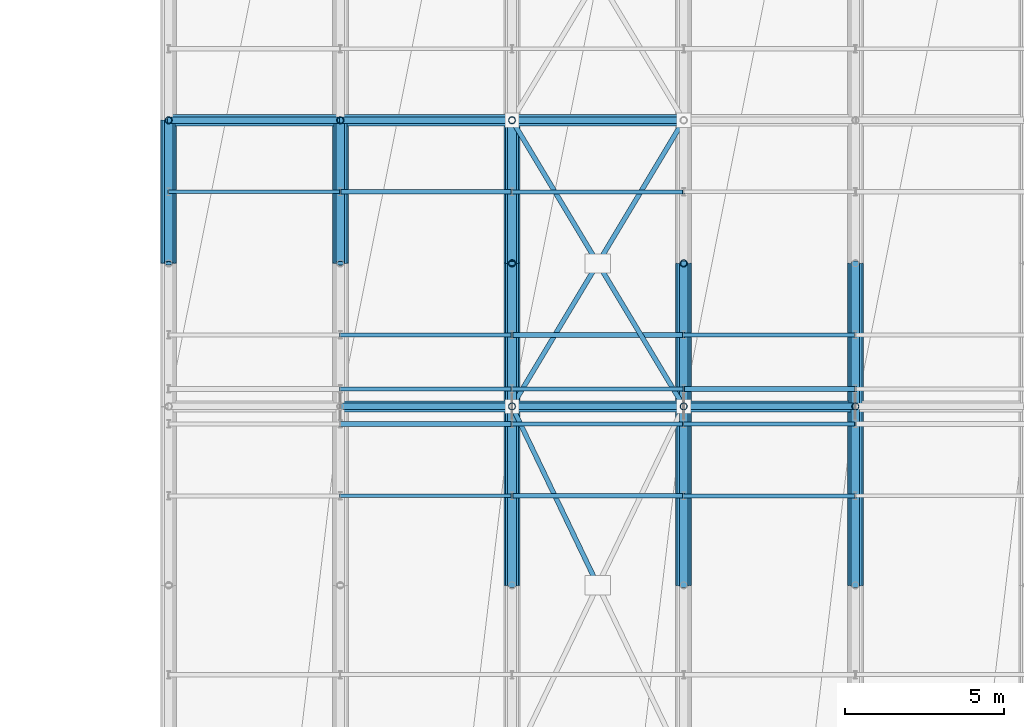
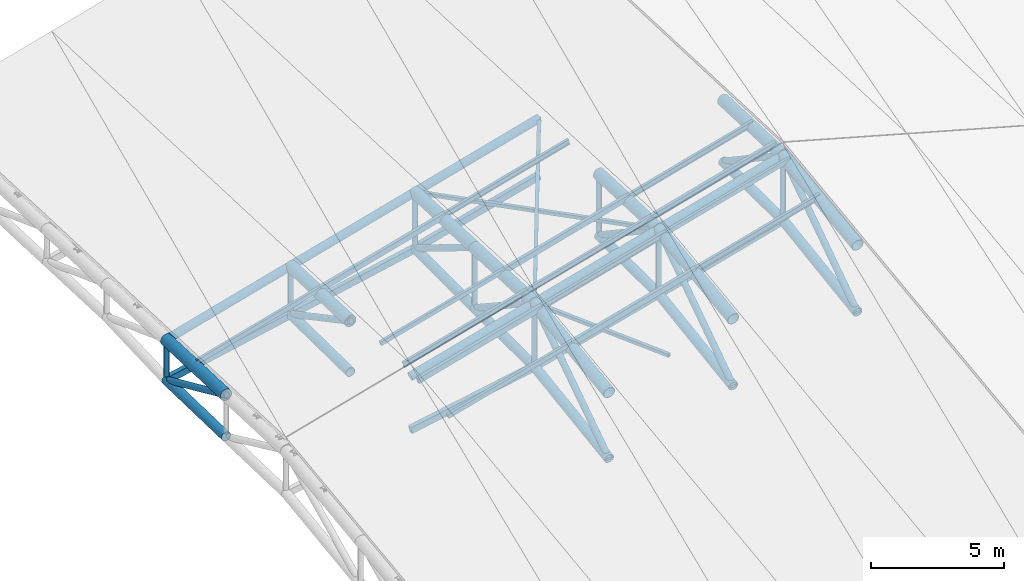
# One storey, part 13 of 109: 48 members, 18 beams.
"""IFC4 building model written with IfcOpenShell, lengths in metres."""

from ifc_helpers import new_model, si_unit, direction, frame, origin, origin_2d, place, context, subcontext, project, spatial, hollow_rectangle, hollow_circle, i_section, extrude, material, material_profile, profile_set, type_object, element, save


model = new_model("IFC4")

# Units and contexts
model_context = context("Model", 3, precision=1e-05, world=origin(), true_north=direction((0.0, 1.0)))
body_context = subcontext(model_context, "Body", "Model", "MODEL_VIEW")
ifc_project = project(units=[si_unit("LENGTHUNIT", "METRE"), si_unit("AREAUNIT", "SQUARE_METRE"), si_unit("VOLUMEUNIT", "CUBIC_METRE"), si_unit("PLANEANGLEUNIT", "RADIAN"), si_unit("MASSUNIT", "GRAM", prefix="KILO")], contexts=[model_context])

# Site, building, storey
site_placement = place(None, origin())
site = spatial("IfcSite", under=ifc_project, at=site_placement, CompositionType="ELEMENT")
building_placement = place(site_placement, origin())
building = spatial("IfcBuilding", under=site, at=building_placement, Name="Suirenkawa Promenade Aquatics Centre", CompositionType="ELEMENT")
storey_placement = place(building_placement, frame((0.0, 0.0, 22.800048828125)))
storey = spatial("IfcBuildingStorey", under=building, at=storey_placement, Name="ROOF", CompositionType="ELEMENT", Elevation=22.800048828125)

# Beams
ifc_material = material(Name="Steel IS 2062 E350 (Grade 350)", Category="steel")
ifc_material_profile_1 = material_profile(ifc_material, hollow_circle(Radius=0.202880859375, WallThickness=0.01806640625, at=origin_2d()), Name="CHS 406x18", Category="steel")
ifc_profile_set_1 = profile_set([ifc_material_profile_1], Name="Steel IS 2062 E350 (Grade 350)")
beam_type_1 = type_object("IfcBeamType", Name="BT-BC-CHS406", PredefinedType="BEAM", material=ifc_profile_set_1)
beam_1_placement = place(storey_placement, frame((46.800048828125, 99.89990234375, -11.291015625), z_axis=(0.0, 0.999643939919, -0.026683204125), x_axis=(-1.0, 0.0, 0.0)))
element("IfcBeam", 1, at=beam_1_placement, inside=storey, type_object=beam_type_1, Name="ROOF TRUSS V1 bottom chord BC-01 BM-1826", PredefinedType="BEAM", context=body_context, shape_type="SweptSolid", body=[
    extrude(hollow_circle(Radius=0.202880859375, WallThickness=0.01806640625, at=origin_2d()), origin(), (0.0, 0.0, 1.0), 4.501708984375),
])
beam_2_placement = place(storey_placement, frame((52.199951171875, 99.89990234375, -10.22802734375), z_axis=(0.0, 0.999928127491, -0.011989155608), x_axis=(-1.0, 0.0, 0.0)))
element("IfcBeam", 2, at=beam_2_placement, inside=storey, type_object=beam_type_1, Name="ROOF TRUSS V1 bottom chord BC-01 BM-1854", PredefinedType="BEAM", context=body_context, shape_type="SweptSolid", body=[
    extrude(hollow_circle(Radius=0.202880859375, WallThickness=0.01806640625, at=origin_2d()), origin(), (0.0, 0.0, 1.0), 4.500244140625),
])
beam_3_placement = place(storey_placement, frame((57.60009765625, 89.77490234375, -9.953125), z_axis=(0.0, 0.98936058971, 0.145484100605), x_axis=(-1.0, 0.0, 0.0)))
element("IfcBeam", 3, at=beam_3_placement, inside=storey, type_object=beam_type_1, Name="ROOF TRUSS V1 bottom chord BC-01 BM-1878", PredefinedType="BEAM", context=body_context, shape_type="SweptSolid", body=[
    extrude(hollow_circle(Radius=0.202880859375, WallThickness=0.01806640625, at=origin_2d()), origin(), (0.0, 0.0, 1.0), 5.685546875),
])
beam_4_placement = place(storey_placement, frame((57.60009765625, 95.39990234375, -9.1259765625), z_axis=(0.0, 0.999964186155, -0.008463238555), x_axis=(-1.0, 0.0, 0.0)))
element("IfcBeam", 4, at=beam_4_placement, inside=storey, type_object=beam_type_1, Name="ROOF TRUSS V1 bottom chord BC-01 BM-1880", PredefinedType="BEAM", context=body_context, shape_type="SweptSolid", body=[
    extrude(hollow_circle(Radius=0.202880859375, WallThickness=0.01806640625, at=origin_2d()), origin(), (0.0, 0.0, 1.0), 4.500244140625),
])
beam_5_placement = place(storey_placement, frame((57.60009765625, 99.89990234375, -9.1640625), z_axis=(0.0, 0.999997526048, 0.002224386858), x_axis=(-1.0, 0.0, 0.0)))
element("IfcBeam", 5, at=beam_5_placement, inside=storey, type_object=beam_type_1, Name="ROOF TRUSS V1 bottom chord BC-01 BM-1882", PredefinedType="BEAM", context=body_context, shape_type="SweptSolid", body=[
    extrude(hollow_circle(Radius=0.202880859375, WallThickness=0.01806640625, at=origin_2d()), origin(), (0.0, 0.0, 1.0), 4.5),
])
beam_6_placement = place(storey_placement, frame((63.0, 89.77490234375, -8.507080078125), z_axis=(0.0, 0.989286297541, 0.145988429325), x_axis=(-1.0, 0.0, 0.0)))
element("IfcBeam", 6, at=beam_6_placement, inside=storey, type_object=beam_type_1, Name="ROOF TRUSS V1 bottom chord BC-01 BM-1906", PredefinedType="BEAM", context=body_context, shape_type="SweptSolid", body=[
    extrude(hollow_circle(Radius=0.202880859375, WallThickness=0.01806640625, at=origin_2d()), origin(), (0.0, 0.0, 1.0), 5.68603515625),
])
beam_7_placement = place(storey_placement, frame((63.0, 95.39990234375, -7.677001953125), z_axis=(0.0, 0.999973178989, -0.007324022307), x_axis=(-1.0, 0.0, 0.0)))
element("IfcBeam", 7, at=beam_7_placement, inside=storey, type_object=beam_type_1, Name="ROOF TRUSS V1 bottom chord BC-01 BM-1908", PredefinedType="BEAM", context=body_context, shape_type="SweptSolid", body=[
    extrude(hollow_circle(Radius=0.202880859375, WallThickness=0.01806640625, at=origin_2d()), origin(), (0.0, 0.0, 1.0), 4.5),
])
beam_8_placement = place(storey_placement, frame((68.39990234375, 89.77490234375, -7.007080078125), z_axis=(0.0, 0.989286297541, 0.145988429325), x_axis=(-1.0, 0.0, 0.0)))
element("IfcBeam", 8, at=beam_8_placement, inside=storey, type_object=beam_type_1, Name="ROOF TRUSS V1 bottom chord BC-01 BM-1934", PredefinedType="BEAM", context=body_context, shape_type="SweptSolid", body=[
    extrude(hollow_circle(Radius=0.202880859375, WallThickness=0.01806640625, at=origin_2d()), origin(), (0.0, 0.0, 1.0), 5.68603515625),
])
beam_9_placement = place(storey_placement, frame((68.39990234375, 95.39990234375, -6.177001953125), z_axis=(0.0, 0.999973178989, -0.007324022307), x_axis=(-1.0, 0.0, 0.0)))
element("IfcBeam", 9, at=beam_9_placement, inside=storey, type_object=beam_type_1, Name="ROOF TRUSS V1 bottom chord BC-01 BM-1936", PredefinedType="BEAM", context=body_context, shape_type="SweptSolid", body=[
    extrude(hollow_circle(Radius=0.202880859375, WallThickness=0.01806640625, at=origin_2d()), origin(), (0.0, 0.0, 1.0), 4.5),
])
ifc_material_profile_2 = material_profile(ifc_material, hollow_circle(Radius=0.25390625, WallThickness=0.02392578125, at=origin_2d()), Name="CHS 508x24", Category="steel")
ifc_profile_set_2 = profile_set([ifc_material_profile_2], Name="Steel IS 2062 E350 (Grade 350)")
beam_type_2 = type_object("IfcBeamType", Name="BT-TC-CHS508", PredefinedType="BEAM", material=ifc_profile_set_2)
for number, where, z_axis, x_axis, name in (
    (10, (46.800048828125, 99.89990234375, -9.383056640625), (0.0, 0.999164352475, -0.040872934124), (-1.0, 0.0, 0.0), "ROOF TRUSS V1 top chord TC-02 BM-1825"),
    (11, (52.199951171875, 99.89990234375, -7.883056640625), (0.0, 0.999164352475, -0.040872934124), (-1.0, 0.0, 0.0), "ROOF TRUSS V1 top chord TC-02 BM-1853"),
):
    element("IfcBeam", number, at=place(storey_placement, frame(where, z_axis=z_axis, x_axis=x_axis)), inside=storey, type_object=beam_type_2, Name=name, PredefinedType="BEAM", context=body_context, shape_type="SweptSolid", body=[
        extrude(hollow_circle(Radius=0.25390625, WallThickness=0.02392578125, at=origin_2d()), origin(), (0.0, 0.0, 1.0), 4.503662109375),
    ])
beam_10_placement = place(storey_placement, frame((57.60009765625, 89.77490234375, -6.925048828125), z_axis=(0.0, 0.991793720609, 0.127848409297), x_axis=(-1.0, 0.0, 0.0)))
element("IfcBeam", 12, at=beam_10_placement, inside=storey, type_object=beam_type_2, Name="ROOF TRUSS V1 top chord TC-02 BM-1877", PredefinedType="BEAM", context=body_context, shape_type="SweptSolid", body=[
    extrude(hollow_circle(Radius=0.25390625, WallThickness=0.02392578125, at=origin_2d()), origin(), (0.0, 0.0, 1.0), 5.671630859375),
])
for number, where, z_axis, x_axis, name in (
    (13, (57.60009765625, 95.39990234375, -6.199951171875), (0.0, 0.999173184279, -0.040656460949), (-1.0, 0.0, 0.0), "ROOF TRUSS V1 top chord TC-02 BM-1879"),
    (14, (57.60009765625, 99.89990234375, -6.383056640625), (0.0, 0.999164352475, -0.040872934124), (-1.0, 0.0, 0.0), "ROOF TRUSS V1 top chord TC-02 BM-1881"),
):
    element("IfcBeam", number, at=place(storey_placement, frame(where, z_axis=z_axis, x_axis=x_axis)), inside=storey, type_object=beam_type_2, Name=name, PredefinedType="BEAM", context=body_context, shape_type="SweptSolid", body=[
        extrude(hollow_circle(Radius=0.25390625, WallThickness=0.02392578125, at=origin_2d()), origin(), (0.0, 0.0, 1.0), 4.503662109375),
    ])
beam_11_placement = place(storey_placement, frame((63.0, 89.77490234375, -5.425048828125), z_axis=(0.0, 0.991793720609, 0.127848409297), x_axis=(-1.0, 0.0, 0.0)))
element("IfcBeam", 15, at=beam_11_placement, inside=storey, type_object=beam_type_2, Name="ROOF TRUSS V1 top chord TC-02 BM-1905", PredefinedType="BEAM", context=body_context, shape_type="SweptSolid", body=[
    extrude(hollow_circle(Radius=0.25390625, WallThickness=0.02392578125, at=origin_2d()), origin(), (0.0, 0.0, 1.0), 5.671630859375),
])
beam_12_placement = place(storey_placement, frame((63.0, 95.39990234375, -4.699951171875), z_axis=(0.0, 0.999173184279, -0.040656460949), x_axis=(-1.0, 0.0, 0.0)))
element("IfcBeam", 16, at=beam_12_placement, inside=storey, type_object=beam_type_2, Name="ROOF TRUSS V1 top chord TC-02 BM-1907", PredefinedType="BEAM", context=body_context, shape_type="SweptSolid", body=[
    extrude(hollow_circle(Radius=0.25390625, WallThickness=0.02392578125, at=origin_2d()), origin(), (0.0, 0.0, 1.0), 4.503662109375),
])
beam_13_placement = place(storey_placement, frame((68.39990234375, 89.77490234375, -3.925048828125), z_axis=(0.0, 0.991793720609, 0.127848409297), x_axis=(-1.0, 0.0, 0.0)))
element("IfcBeam", 17, at=beam_13_placement, inside=storey, type_object=beam_type_2, Name="ROOF TRUSS V1 top chord TC-02 BM-1933", PredefinedType="BEAM", context=body_context, shape_type="SweptSolid", body=[
    extrude(hollow_circle(Radius=0.25390625, WallThickness=0.02392578125, at=origin_2d()), origin(), (0.0, 0.0, 1.0), 5.671630859375),
])
beam_14_placement = place(storey_placement, frame((68.39990234375, 95.39990234375, -3.199951171875), z_axis=(0.0, 0.999173184279, -0.040656460949), x_axis=(-1.0, 0.0, 0.0)))
element("IfcBeam", 18, at=beam_14_placement, inside=storey, type_object=beam_type_2, Name="ROOF TRUSS V1 top chord TC-02 BM-1935", PredefinedType="BEAM", context=body_context, shape_type="SweptSolid", body=[
    extrude(hollow_circle(Radius=0.25390625, WallThickness=0.02392578125, at=origin_2d()), origin(), (0.0, 0.0, 1.0), 4.503662109375),
])

# Members
ifc_material_profile_3 = material_profile(ifc_material, hollow_rectangle(XDim=0.14990234375, YDim=0.14990234375, WallThickness=0.008056640625, at=origin_2d()), Name="SHS 150x150x8", Category="steel")
ifc_profile_set_3 = profile_set([ifc_material_profile_3], Name="Steel IS 2062 E350 (Grade 350)")
member_type_1 = type_object("IfcMemberType", Name="MT-BRACE-SHS150", PredefinedType="BRACE", material=ifc_profile_set_3)
member_1_placement = place(storey_placement, frame((60.262939453125, 89.85205078125, -6.175048828125), z_axis=(-0.432710757709, 0.901523724047, -0.004046621187), x_axis=(-0.901531105428, -0.432714300603, 0.0)))
element("IfcMember", 19, at=member_1_placement, inside=storey, type_object=member_type_1, Name="ROOF TRUSS V1 split plan brace B BF-02 MB-0934", PredefinedType="BRACE", context=body_context, shape_type="SweptSolid", body=[
    extrude(hollow_rectangle(XDim=0.14990234375, YDim=0.14990234375, WallThickness=0.008056640625, at=origin_2d()), origin(), (0.0, 0.0, 1.0), 6.15380859375),
])
member_2_placement = place(storey_placement, frame((57.60009765625, 95.39990234375, -6.199951171875), z_axis=(0.511518150666, 0.852545668963, 0.107308265625), x_axis=(-0.857497030584, 0.514488913912, 0.0)))
element("IfcMember", 20, at=member_2_placement, inside=storey, type_object=member_type_1, Name="ROOF TRUSS V1 continuous plan brace BF-02 MB-0935", PredefinedType="BRACE", context=body_context, shape_type="SweptSolid", body=[
    extrude(hollow_rectangle(XDim=0.14990234375, YDim=0.14990234375, WallThickness=0.008056640625, at=origin_2d()), origin(), (0.0, 0.0, 1.0), 10.556640625),
])
for number, where, z_axis, x_axis, name in (
    (21, (63.0, 95.39990234375, -4.699951171875), (-0.506561143095, 0.844206510367, -0.175246044634), (-0.857476239003, -0.514523565588, 0.0), "ROOF TRUSS V1 split plan brace A BF-02 MB-0936"),
    (22, (60.257080078125, 99.971923828125, -5.64794921875), (-0.506561143095, 0.844206510367, -0.175246044634), (-0.857476239003, -0.514523565588, 0.0), "ROOF TRUSS V1 split plan brace B BF-02 MB-0937"),
):
    element("IfcMember", number, at=place(storey_placement, frame(where, z_axis=z_axis, x_axis=x_axis)), inside=storey, type_object=member_type_1, Name=name, PredefinedType="BRACE", context=body_context, shape_type="SweptSolid", body=[
        extrude(hollow_rectangle(XDim=0.14990234375, YDim=0.14990234375, WallThickness=0.008056640625, at=origin_2d()), origin(), (0.0, 0.0, 1.0), 5.2451171875),
    ])
ifc_material_profile_4 = material_profile(ifc_material, hollow_circle(Radius=0.177978515625, WallThickness=0.01611328125, at=origin_2d()), Name="CHS 356x16", Category="steel")
ifc_profile_set_4 = profile_set([ifc_material_profile_4], Name="Steel IS 2062 E350 (Grade 350)")
member_type_2 = type_object("IfcMemberType", Name="MT-CHORD-CHS356", PredefinedType="CHORD", material=ifc_profile_set_4)
member_3_placement = place(storey_placement, frame((52.199951171875, 95.39990234375, -7.699951171875), z_axis=(0.963519781844, 0.0, 0.267637123724), x_axis=(0.0, 1.0, 0.0)))
element("IfcMember", 23, at=member_3_placement, inside=storey, type_object=member_type_2, Name="ROOF TRUSS V1 tie chord CH-02 MB-0810", PredefinedType="CHORD", context=body_context, shape_type="SweptSolid", body=[
    extrude(hollow_circle(Radius=0.177978515625, WallThickness=0.01611328125, at=origin_2d()), origin(), (0.0, 0.0, 1.0), 5.6044921875),
])
for number, where, z_axis, x_axis, name in (
    (24, (57.60009765625, 95.39990234375, -6.199951171875), (0.963516661409, 0.0, 0.267648357342), (0.0, 1.0, 0.0), "ROOF TRUSS V1 tie chord CH-02 MB-0812"),
    (25, (63.0, 95.39990234375, -4.699951171875), (0.963516661409, 0.0, 0.267648357342), (0.0, 1.0, 0.0), "ROOF TRUSS V1 tie chord CH-02 MB-0814"),
    (26, (46.800048828125, 104.39990234375, -9.567138671875), (0.963516661409, 0.0, 0.267648357342), (0.0, 1.0, 0.0), "ROOF TRUSS V1 tie chord CH-02 MB-0848"),
):
    element("IfcMember", number, at=place(storey_placement, frame(where, z_axis=z_axis, x_axis=x_axis)), inside=storey, type_object=member_type_2, Name=name, PredefinedType="CHORD", context=body_context, shape_type="SweptSolid", body=[
        extrude(hollow_circle(Radius=0.177978515625, WallThickness=0.01611328125, at=origin_2d()), origin(), (0.0, 0.0, 1.0), 5.604248046875),
    ])
member_4_placement = place(storey_placement, frame((52.199951171875, 104.39990234375, -8.067138671875), z_axis=(0.963519781844, 0.0, 0.267637123724), x_axis=(0.0, 1.0, 0.0)))
element("IfcMember", 27, at=member_4_placement, inside=storey, type_object=member_type_2, Name="ROOF TRUSS V1 tie chord CH-02 MB-0850", PredefinedType="CHORD", context=body_context, shape_type="SweptSolid", body=[
    extrude(hollow_circle(Radius=0.177978515625, WallThickness=0.01611328125, at=origin_2d()), origin(), (0.0, 0.0, 1.0), 5.6044921875),
])
member_5_placement = place(storey_placement, frame((57.60009765625, 104.39990234375, -6.567138671875), z_axis=(0.963516661409, 0.0, 0.267648357342), x_axis=(0.0, 1.0, 0.0)))
element("IfcMember", 28, at=member_5_placement, inside=storey, type_object=member_type_2, Name="ROOF TRUSS V1 tie chord CH-02 MB-0852", PredefinedType="CHORD", context=body_context, shape_type="SweptSolid", body=[
    extrude(hollow_circle(Radius=0.177978515625, WallThickness=0.01611328125, at=origin_2d()), origin(), (0.0, 0.0, 1.0), 5.604248046875),
])
ifc_material_profile_5 = material_profile(ifc_material, hollow_rectangle(XDim=0.199951171875, YDim=0.300048828125, WallThickness=0.011962890625, at=origin_2d()), Name="RHS 300x200x12", Category="steel")
ifc_profile_set_5 = profile_set([ifc_material_profile_5], Name="Steel IS 2062 E350 (Grade 350)")
member_type_3 = type_object("IfcMemberType", Name="MT-CHORD-RHS300", PredefinedType="CHORD", material=ifc_profile_set_5)
member_6_placement = place(storey_placement, frame((52.199951171875, 95.39990234375, -10.14111328125), z_axis=(0.982786066703, 0.0, 0.184747251926), x_axis=(0.0, 1.0, 0.0)))
element("IfcMember", 29, at=member_6_placement, inside=storey, type_object=member_type_3, Name="ROOF TRUSS V1 bottom tie CH-03 MB-0811", PredefinedType="CHORD", context=body_context, shape_type="SweptSolid", body=[
    extrude(hollow_rectangle(XDim=0.199951171875, YDim=0.300048828125, WallThickness=0.011962890625, at=origin_2d()), origin(), (0.0, 0.0, 1.0), 5.49462890625),
])
member_7_placement = place(storey_placement, frame((57.60009765625, 95.39990234375, -9.1259765625), z_axis=(0.965832973836, 0.0, 0.25916532687), x_axis=(0.0, 1.0, 0.0)))
element("IfcMember", 30, at=member_7_placement, inside=storey, type_object=member_type_3, Name="ROOF TRUSS V1 bottom tie CH-03 MB-0813", PredefinedType="CHORD", context=body_context, shape_type="SweptSolid", body=[
    extrude(hollow_rectangle(XDim=0.199951171875, YDim=0.300048828125, WallThickness=0.011962890625, at=origin_2d()), origin(), (0.0, 0.0, 1.0), 5.5908203125),
])
member_8_placement = place(storey_placement, frame((63.0, 95.39990234375, -7.677001953125), z_axis=(0.963516661409, 0.0, 0.267648357342), x_axis=(0.0, 1.0, 0.0)))
element("IfcMember", 31, at=member_8_placement, inside=storey, type_object=member_type_3, Name="ROOF TRUSS V1 bottom tie CH-03 MB-0815", PredefinedType="CHORD", context=body_context, shape_type="SweptSolid", body=[
    extrude(hollow_rectangle(XDim=0.199951171875, YDim=0.300048828125, WallThickness=0.011962890625, at=origin_2d()), origin(), (0.0, 0.0, 1.0), 5.604248046875),
])
for number, where, z_axis, x_axis, name in (
    (32, (46.800048828125, 104.39990234375, -11.4111328125), (0.97882919905, 0.0, 0.204678770486), (0.0, 1.0, 0.0), "ROOF TRUSS V1 bottom tie CH-03 MB-0849"),
    (33, (52.199951171875, 104.39990234375, -10.281982421875), (0.978875359539, 0.0, 0.204457894167), (0.0, 1.0, 0.0), "ROOF TRUSS V1 bottom tie CH-03 MB-0851"),
):
    element("IfcMember", number, at=place(storey_placement, frame(where, z_axis=z_axis, x_axis=x_axis)), inside=storey, type_object=member_type_3, Name=name, PredefinedType="CHORD", context=body_context, shape_type="SweptSolid", body=[
        extrude(hollow_rectangle(XDim=0.199951171875, YDim=0.300048828125, WallThickness=0.011962890625, at=origin_2d()), origin(), (0.0, 0.0, 1.0), 5.5166015625),
    ])
member_9_placement = place(storey_placement, frame((57.60009765625, 104.39990234375, -9.154052734375), z_axis=(0.965295623248, 0.0, 0.261159644159), x_axis=(0.0, 1.0, 0.0)))
element("IfcMember", 34, at=member_9_placement, inside=storey, type_object=member_type_3, Name="ROOF TRUSS V1 bottom tie CH-03 MB-0853", PredefinedType="CHORD", context=body_context, shape_type="SweptSolid", body=[
    extrude(hollow_rectangle(XDim=0.199951171875, YDim=0.300048828125, WallThickness=0.011962890625, at=origin_2d()), origin(), (0.0, 0.0, 1.0), 5.593994140625),
])
ifc_material_profile_6 = material_profile(ifc_material, i_section(OverallWidth=0.125, OverallDepth=0.25, WebThickness=0.007080078125, FlangeThickness=0.012939453125, at=origin_2d()), Name="ISMB 250", Category="steel")
ifc_profile_set_6 = profile_set([ifc_material_profile_6], Name="Steel IS 2062 E350 (Grade 350)")
member_type_4 = type_object("IfcMemberType", Name="MT-PURLIN-ISMB250", PredefinedType="PURLIN", material=ifc_profile_set_6)
member_10_placement = place(storey_placement, frame((52.199951171875, 95.949951171875, -7.494140625), z_axis=(0.963519781844, 0.0, 0.267637123724), x_axis=(0.0, 1.0, 0.0)))
element("IfcMember", 35, at=member_10_placement, inside=storey, type_object=member_type_4, Name="ROOF TRUSS Roof purlin PU-04 MB-1743", PredefinedType="PURLIN", context=body_context, shape_type="SweptSolid", body=[
    extrude(i_section(OverallWidth=0.125, OverallDepth=0.25, WebThickness=0.007080078125, FlangeThickness=0.012939453125, at=origin_2d()), origin(), (0.0, 0.0, 1.0), 5.6044921875),
])
for number, where, z_axis, x_axis, name in (
    (36, (57.60009765625, 94.85009765625, -6.050048828125), (0.963516661409, 0.0, 0.267648357342), (0.0, 1.0, 0.0), "ROOF TRUSS Roof purlin PU-04 MB-1777"),
    (37, (57.60009765625, 102.14990234375, -6.2470703125), (0.963516661409, 0.0, 0.267648357342), (0.0, 1.0, 0.0), "ROOF TRUSS Roof purlin PU-04 MB-1783"),
    (38, (63.0, 92.587890625, -4.841064453125), (0.963516661409, 0.0, 0.267648357342), (0.0, 1.0, 0.0), "ROOF TRUSS Roof purlin PU-04 MB-1811"),
    (39, (63.0, 97.64990234375, -4.56298828125), (0.963516661409, 0.0, 0.267648357342), (0.0, 1.0, 0.0), "ROOF TRUSS Roof purlin PU-04 MB-1817"),
):
    element("IfcMember", number, at=place(storey_placement, frame(where, z_axis=z_axis, x_axis=x_axis)), inside=storey, type_object=member_type_4, Name=name, PredefinedType="PURLIN", context=body_context, shape_type="SweptSolid", body=[
        extrude(i_section(OverallWidth=0.125, OverallDepth=0.25, WebThickness=0.007080078125, FlangeThickness=0.012939453125, at=origin_2d()), origin(), (0.0, 0.0, 1.0), 5.604248046875),
    ])
ifc_material_profile_7 = material_profile(ifc_material, hollow_rectangle(XDim=0.1201171875, YDim=0.199951171875, WallThickness=0.008056640625, at=origin_2d()), Name="RHS 200x120x8", Category="steel")
ifc_profile_set_7 = profile_set([ifc_material_profile_7], Name="Steel IS 2062 E350 (Grade 350)")
member_type_5 = type_object("IfcMemberType", Name="MT-PURLIN-RHS200", PredefinedType="PURLIN", material=ifc_profile_set_7)
member_11_placement = place(storey_placement, frame((46.800048828125, 102.14990234375, -9.22216796875), z_axis=(0.963516661409, 0.0, 0.267648357342), x_axis=(0.0, 1.0, 0.0)))
element("IfcMember", 40, at=member_11_placement, inside=storey, type_object=member_type_5, Name="ROOF TRUSS Roof purlin PU-02 MB-1705", PredefinedType="PURLIN", context=body_context, shape_type="SweptSolid", body=[
    extrude(hollow_rectangle(XDim=0.1201171875, YDim=0.199951171875, WallThickness=0.008056640625, at=origin_2d()), origin(), (0.0, 0.0, 1.0), 5.604248046875),
])
for number, where, z_axis, x_axis, name in (
    (41, (52.199951171875, 92.587890625, -7.816162109375), (0.963519781844, 0.0, 0.267637123724), (0.0, 1.0, 0.0), "ROOF TRUSS Roof purlin PU-02 MB-1739"),
    (42, (52.199951171875, 97.64990234375, -7.5380859375), (0.963519781844, 0.0, 0.267637123724), (0.0, 1.0, 0.0), "ROOF TRUSS Roof purlin PU-02 MB-1745"),
):
    element("IfcMember", number, at=place(storey_placement, frame(where, z_axis=z_axis, x_axis=x_axis)), inside=storey, type_object=member_type_5, Name=name, PredefinedType="PURLIN", context=body_context, shape_type="SweptSolid", body=[
        extrude(hollow_rectangle(XDim=0.1201171875, YDim=0.199951171875, WallThickness=0.008056640625, at=origin_2d()), origin(), (0.0, 0.0, 1.0), 5.6044921875),
    ])
for number, where, z_axis, x_axis, name in (
    (43, (57.60009765625, 95.949951171875, -5.968994140625), (0.963516661409, 0.0, 0.267648357342), (0.0, 1.0, 0.0), "ROOF TRUSS Roof purlin PU-02 MB-1779"),
    (44, (63.0, 94.85009765625, -4.525146484375), (0.963516661409, 0.0, 0.267648357342), (0.0, 1.0, 0.0), "ROOF TRUSS Roof purlin PU-02 MB-1813"),
):
    element("IfcMember", number, at=place(storey_placement, frame(where, z_axis=z_axis, x_axis=x_axis)), inside=storey, type_object=member_type_5, Name=name, PredefinedType="PURLIN", context=body_context, shape_type="SweptSolid", body=[
        extrude(hollow_rectangle(XDim=0.1201171875, YDim=0.199951171875, WallThickness=0.008056640625, at=origin_2d()), origin(), (0.0, 0.0, 1.0), 5.604248046875),
    ])
ifc_material_profile_8 = material_profile(ifc_material, hollow_rectangle(XDim=0.14990234375, YDim=0.25, WallThickness=0.010009765625, at=origin_2d()), Name="RHS 250x150x10", Category="steel")
ifc_profile_set_8 = profile_set([ifc_material_profile_8], Name="Steel IS 2062 E350 (Grade 350)")
member_type_6 = type_object("IfcMemberType", Name="MT-PURLIN-RHS250", PredefinedType="PURLIN", material=ifc_profile_set_8)
for number, where, z_axis, x_axis, name in (
    (45, (52.199951171875, 94.85009765625, -7.552001953125), (0.963519781844, 0.0, 0.267637123724), (0.0, 1.0, 0.0), "ROOF TRUSS Roof purlin PU-03 MB-1741"),
    (46, (52.199951171875, 102.14990234375, -7.7470703125), (0.963519781844, 0.0, 0.267637123724), (0.0, 1.0, 0.0), "ROOF TRUSS Roof purlin PU-03 MB-1747"),
):
    element("IfcMember", number, at=place(storey_placement, frame(where, z_axis=z_axis, x_axis=x_axis)), inside=storey, type_object=member_type_6, Name=name, PredefinedType="PURLIN", context=body_context, shape_type="SweptSolid", body=[
        extrude(hollow_rectangle(XDim=0.14990234375, YDim=0.25, WallThickness=0.010009765625, at=origin_2d()), origin(), (0.0, 0.0, 1.0), 5.6044921875),
    ])
for number, where, z_axis, x_axis, name in (
    (47, (57.60009765625, 92.587890625, -6.343017578125), (0.963516661409, 0.0, 0.267648357342), (0.0, 1.0, 0.0), "ROOF TRUSS Roof purlin PU-03 MB-1775"),
    (48, (57.60009765625, 97.64990234375, -6.06396484375), (0.963516661409, 0.0, 0.267648357342), (0.0, 1.0, 0.0), "ROOF TRUSS Roof purlin PU-03 MB-1781"),
    (49, (63.0, 95.949951171875, -4.4951171875), (0.963516661409, 0.0, 0.267648357342), (0.0, 1.0, 0.0), "ROOF TRUSS Roof purlin PU-03 MB-1815"),
):
    element("IfcMember", number, at=place(storey_placement, frame(where, z_axis=z_axis, x_axis=x_axis)), inside=storey, type_object=member_type_6, Name=name, PredefinedType="PURLIN", context=body_context, shape_type="SweptSolid", body=[
        extrude(hollow_rectangle(XDim=0.14990234375, YDim=0.25, WallThickness=0.010009765625, at=origin_2d()), origin(), (0.0, 0.0, 1.0), 5.604248046875),
    ])
ifc_material_profile_9 = material_profile(ifc_material, hollow_circle(Radius=0.110107421875, WallThickness=0.010009765625, at=origin_2d()), Name="CHS 220x10", Category="steel")
ifc_profile_set_9 = profile_set([ifc_material_profile_9], Name="Steel IS 2062 E350 (Grade 350)")
member_type_7 = type_object("IfcMemberType", Name="MT-WEB-CHS220", PredefinedType="BRACE", material=ifc_profile_set_9)
member_12_placement = place(storey_placement, frame((46.800048828125, 104.39990234375, -11.4111328125), z_axis=(0.0, 0.0, 1.0), x_axis=(1.0, 0.0, 0.0)))
element("IfcMember", 50, at=member_12_placement, inside=storey, type_object=member_type_7, Name="ROOF TRUSS V1 web post TD-01 MB-0024", PredefinedType="BRACE", context=body_context, shape_type="SweptSolid", body=[
    extrude(hollow_circle(Radius=0.110107421875, WallThickness=0.010009765625, at=origin_2d()), origin(), (0.0, 0.0, 1.0), 1.843994140625),
])
member_13_placement = place(storey_placement, frame((52.199951171875, 104.39990234375, -10.281982421875), z_axis=(0.0, 0.0, 1.0), x_axis=(1.0, 0.0, 0.0)))
element("IfcMember", 51, at=member_13_placement, inside=storey, type_object=member_type_7, Name="ROOF TRUSS V1 web post TD-01 MB-0051", PredefinedType="BRACE", context=body_context, shape_type="SweptSolid", body=[
    extrude(hollow_circle(Radius=0.110107421875, WallThickness=0.010009765625, at=origin_2d()), origin(), (0.0, 0.0, 1.0), 2.21484375),
])
member_14_placement = place(storey_placement, frame((57.60009765625, 95.39990234375, -9.1259765625), z_axis=(0.0, 0.0, 1.0), x_axis=(1.0, 0.0, 0.0)))
element("IfcMember", 52, at=member_14_placement, inside=storey, type_object=member_type_7, Name="ROOF TRUSS V1 web post TD-01 MB-0076", PredefinedType="BRACE", context=body_context, shape_type="SweptSolid", body=[
    extrude(hollow_circle(Radius=0.110107421875, WallThickness=0.010009765625, at=origin_2d()), origin(), (0.0, 0.0, 1.0), 2.926025390625),
])
member_15_placement = place(storey_placement, frame((57.60009765625, 99.89990234375, -9.1640625), z_axis=(0.0, 0.0, 1.0), x_axis=(1.0, 0.0, 0.0)))
element("IfcMember", 53, at=member_15_placement, inside=storey, type_object=member_type_7, Name="ROOF TRUSS V1 web post TD-01 MB-0077", PredefinedType="BRACE", context=body_context, shape_type="SweptSolid", body=[
    extrude(hollow_circle(Radius=0.110107421875, WallThickness=0.010009765625, at=origin_2d()), origin(), (0.0, 0.0, 1.0), 2.781005859375),
])
member_16_placement = place(storey_placement, frame((57.60009765625, 104.39990234375, -9.154052734375), z_axis=(0.0, 0.0, 1.0), x_axis=(1.0, 0.0, 0.0)))
element("IfcMember", 54, at=member_16_placement, inside=storey, type_object=member_type_7, Name="ROOF TRUSS V1 web post TD-01 MB-0078", PredefinedType="BRACE", context=body_context, shape_type="SweptSolid", body=[
    extrude(hollow_circle(Radius=0.110107421875, WallThickness=0.010009765625, at=origin_2d()), origin(), (0.0, 0.0, 1.0), 2.5869140625),
])
member_17_placement = place(storey_placement, frame((63.0, 95.39990234375, -7.677001953125), z_axis=(0.0, 0.0, 1.0), x_axis=(1.0, 0.0, 0.0)))
element("IfcMember", 55, at=member_17_placement, inside=storey, type_object=member_type_7, Name="ROOF TRUSS V1 web post TD-01 MB-0103", PredefinedType="BRACE", context=body_context, shape_type="SweptSolid", body=[
    extrude(hollow_circle(Radius=0.110107421875, WallThickness=0.010009765625, at=origin_2d()), origin(), (0.0, 0.0, 1.0), 2.97705078125),
])
member_18_placement = place(storey_placement, frame((63.0, 99.89990234375, -7.7099609375), z_axis=(0.0, 0.0, 1.0), x_axis=(1.0, 0.0, 0.0)))
element("IfcMember", 56, at=member_18_placement, inside=storey, type_object=member_type_7, Name="ROOF TRUSS V1 web post TD-01 MB-0104", PredefinedType="BRACE", context=body_context, shape_type="SweptSolid", body=[
    extrude(hollow_circle(Radius=0.110107421875, WallThickness=0.010009765625, at=origin_2d()), origin(), (0.0, 0.0, 1.0), 2.826904296875),
])
member_19_placement = place(storey_placement, frame((68.39990234375, 95.39990234375, -6.177001953125), z_axis=(0.0, 0.0, 1.0), x_axis=(1.0, 0.0, 0.0)))
element("IfcMember", 57, at=member_19_placement, inside=storey, type_object=member_type_7, Name="ROOF TRUSS V1 web post TD-01 MB-0130", PredefinedType="BRACE", context=body_context, shape_type="SweptSolid", body=[
    extrude(hollow_circle(Radius=0.110107421875, WallThickness=0.010009765625, at=origin_2d()), origin(), (0.0, 0.0, 1.0), 2.97705078125),
])
ifc_material_profile_10 = material_profile(ifc_material, hollow_circle(Radius=0.136962890625, WallThickness=0.011962890625, at=origin_2d()), Name="CHS 274x12", Category="steel")
ifc_profile_set_10 = profile_set([ifc_material_profile_10], Name="Steel IS 2062 E350 (Grade 350)")
member_type_8 = type_object("IfcMemberType", Name="MT-WEB-CHS274", PredefinedType="BRACE", material=ifc_profile_set_10)
member_20_placement = place(storey_placement, frame((46.800048828125, 99.89990234375, -9.383056640625), z_axis=(0.0, 0.911688134665, -0.41088288491), x_axis=(-1.0, 0.0, 0.0)))
element("IfcMember", 58, at=member_20_placement, inside=storey, type_object=member_type_8, Name="ROOF TRUSS V1 web diagonal TD-02 MB-0010", PredefinedType="BRACE", context=body_context, shape_type="SweptSolid", body=[
    extrude(hollow_circle(Radius=0.136962890625, WallThickness=0.011962890625, at=origin_2d()), origin(), (0.0, 0.0, 1.0), 4.935791015625),
])
member_21_placement = place(storey_placement, frame((52.199951171875, 99.89990234375, -7.883056640625), z_axis=(0.0, 0.882440393895, -0.47042422474), x_axis=(-1.0, 0.0, 0.0)))
element("IfcMember", 59, at=member_21_placement, inside=storey, type_object=member_type_8, Name="ROOF TRUSS V1 web diagonal TD-02 MB-0037", PredefinedType="BRACE", context=body_context, shape_type="SweptSolid", body=[
    extrude(hollow_circle(Radius=0.136962890625, WallThickness=0.011962890625, at=origin_2d()), origin(), (0.0, 0.0, 1.0), 5.099609375),
])
member_22_placement = place(storey_placement, frame((57.60009765625, 89.77490234375, -9.953125), z_axis=(0.0, 0.831833607555, 0.55502508893), x_axis=(-1.0, 0.0, 0.0)))
element("IfcMember", 60, at=member_22_placement, inside=storey, type_object=member_type_8, Name="ROOF TRUSS V1 web diagonal TD-02 MB-0062", PredefinedType="BRACE", context=body_context, shape_type="SweptSolid", body=[
    extrude(hollow_circle(Radius=0.136962890625, WallThickness=0.011962890625, at=origin_2d()), origin(), (0.0, 0.0, 1.0), 6.76220703125),
])
member_23_placement = place(storey_placement, frame((57.60009765625, 95.39990234375, -6.199951171875), z_axis=(0.0, 0.835111471148, -0.550080749306), x_axis=(-1.0, 0.0, 0.0)))
element("IfcMember", 61, at=member_23_placement, inside=storey, type_object=member_type_8, Name="ROOF TRUSS V1 web diagonal TD-02 MB-0063", PredefinedType="BRACE", context=body_context, shape_type="SweptSolid", body=[
    extrude(hollow_circle(Radius=0.136962890625, WallThickness=0.011962890625, at=origin_2d()), origin(), (0.0, 0.0, 1.0), 5.388427734375),
])
member_24_placement = place(storey_placement, frame((57.60009765625, 99.89990234375, -6.383056640625), z_axis=(0.0, 0.851509181846, -0.524339692597), x_axis=(-1.0, 0.0, 0.0)))
element("IfcMember", 62, at=member_24_placement, inside=storey, type_object=member_type_8, Name="ROOF TRUSS V1 web diagonal TD-02 MB-0064", PredefinedType="BRACE", context=body_context, shape_type="SweptSolid", body=[
    extrude(hollow_circle(Radius=0.136962890625, WallThickness=0.011962890625, at=origin_2d()), origin(), (0.0, 0.0, 1.0), 5.28466796875),
])
member_25_placement = place(storey_placement, frame((63.0, 89.77490234375, -8.507080078125), z_axis=(0.0, 0.828147975277, 0.560509528059), x_axis=(-1.0, 0.0, 0.0)))
element("IfcMember", 63, at=member_25_placement, inside=storey, type_object=member_type_8, Name="ROOF TRUSS V1 web diagonal TD-02 MB-0089", PredefinedType="BRACE", context=body_context, shape_type="SweptSolid", body=[
    extrude(hollow_circle(Radius=0.136962890625, WallThickness=0.011962890625, at=origin_2d()), origin(), (0.0, 0.0, 1.0), 6.792236328125),
])
member_26_placement = place(storey_placement, frame((63.0, 95.39990234375, -4.699951171875), z_axis=(0.0, 0.83119596855, -0.555979551663), x_axis=(-1.0, 0.0, 0.0)))
element("IfcMember", 64, at=member_26_placement, inside=storey, type_object=member_type_8, Name="ROOF TRUSS V1 web diagonal TD-02 MB-0090", PredefinedType="BRACE", context=body_context, shape_type="SweptSolid", body=[
    extrude(hollow_circle(Radius=0.136962890625, WallThickness=0.011962890625, at=origin_2d()), origin(), (0.0, 0.0, 1.0), 5.413818359375),
])
member_27_placement = place(storey_placement, frame((68.39990234375, 89.77490234375, -7.007080078125), z_axis=(0.0, 0.828147975277, 0.560509528059), x_axis=(-1.0, 0.0, 0.0)))
element("IfcMember", 65, at=member_27_placement, inside=storey, type_object=member_type_8, Name="ROOF TRUSS V1 web diagonal TD-02 MB-0116", PredefinedType="BRACE", context=body_context, shape_type="SweptSolid", body=[
    extrude(hollow_circle(Radius=0.136962890625, WallThickness=0.011962890625, at=origin_2d()), origin(), (0.0, 0.0, 1.0), 6.792236328125),
])
member_28_placement = place(storey_placement, frame((68.39990234375, 95.39990234375, -3.199951171875), z_axis=(0.0, 0.83119596855, -0.555979551663), x_axis=(-1.0, 0.0, 0.0)))
element("IfcMember", 66, at=member_28_placement, inside=storey, type_object=member_type_8, Name="ROOF TRUSS V1 web diagonal TD-02 MB-0117", PredefinedType="BRACE", context=body_context, shape_type="SweptSolid", body=[
    extrude(hollow_circle(Radius=0.136962890625, WallThickness=0.011962890625, at=origin_2d()), origin(), (0.0, 0.0, 1.0), 5.413818359375),
])

save(model, "model.ifc")
